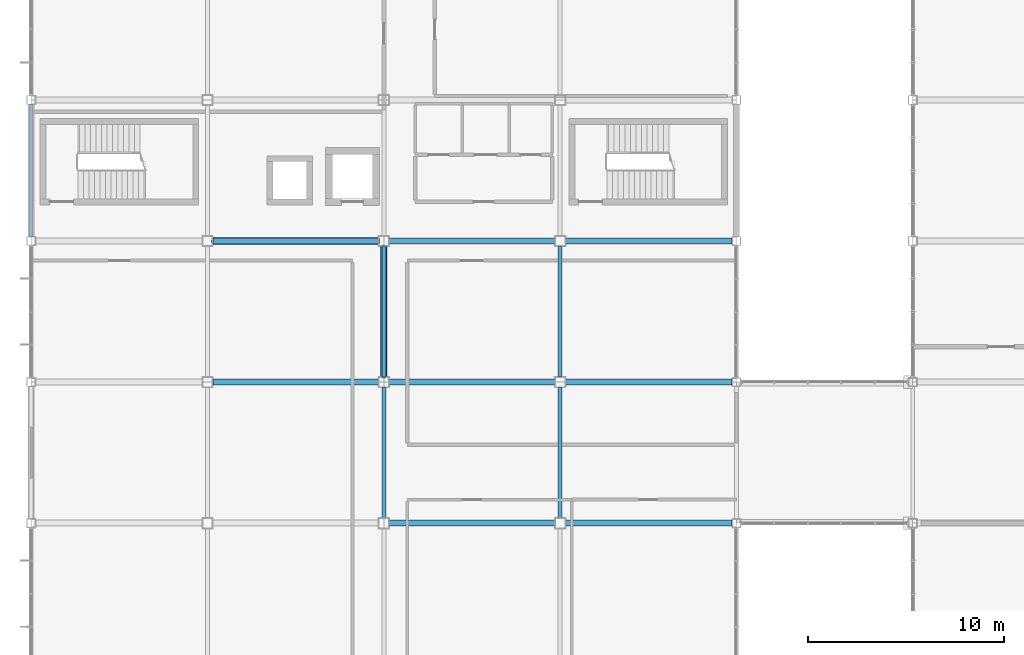
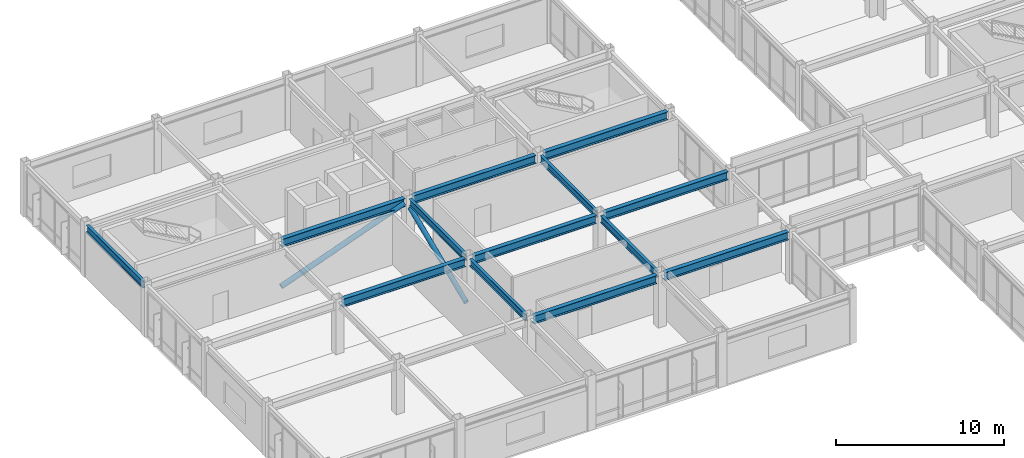
# One storey, part 54 of 122: 13 beams, 2 members.
"""IFC4 building model written with IfcOpenShell, lengths in metres."""

from ifc_helpers import new_model, si_unit, direction, frame, origin, origin_2d, place, context, subcontext, project, spatial, hollow_circle, i_section, extrude, material, material_profile, profile_set, type_object, element, save


model = new_model("IFC4")

# Units and contexts
model_context = context("Model", 3, precision=1e-05, world=origin(), true_north=direction((0.0, 1.0)))
body_context = subcontext(model_context, "Body", "Model", "MODEL_VIEW")
ifc_project = project(units=[si_unit("LENGTHUNIT", "METRE"), si_unit("AREAUNIT", "SQUARE_METRE"), si_unit("VOLUMEUNIT", "CUBIC_METRE"), si_unit("PLANEANGLEUNIT", "RADIAN"), si_unit("MASSUNIT", "GRAM", prefix="KILO")], contexts=[model_context])

# Site, building, storey
site_placement = place(None, origin())
site = spatial("IfcSite", under=ifc_project, at=site_placement, CompositionType="ELEMENT")
building_placement = place(site_placement, origin())
building = spatial("IfcBuilding", under=site, at=building_placement, Name="Kazanami Central Library", CompositionType="ELEMENT")
storey_placement = place(building_placement, frame((0.0, 0.0, 4.800048828125)))
storey = spatial("IfcBuildingStorey", under=building, at=storey_placement, Name="L02", CompositionType="ELEMENT", Elevation=4.800048828125)

# Beams
ifc_material_1 = material(Name="Steel SN490B (325 MPa)", Category="steel")
ifc_material_profile_1 = material_profile(ifc_material_1, i_section(OverallWidth=0.300048828125, OverallDepth=0.587890625, WebThickness=0.011962890625, FlangeThickness=0.02001953125, at=origin_2d()), Name="H-588x300x12x20")
ifc_profile_set_1 = profile_set([ifc_material_profile_1], Name="Steel SN490B (325 MPa)")
beam_type_1 = type_object("IfcBeamType", Name="BM-G-X2", PredefinedType="BEAM", material=ifc_profile_set_1)
beam_1_placement = place(storey_placement, frame((18.27294921875, 64.800048828125, 3.4609375), z_axis=(1.0, 0.0, 0.0), x_axis=(0.0, 1.0, 0.0)))
element("IfcBeam", 1, at=beam_1_placement, inside=storey, type_object=beam_type_1, Name="Girder G-X2 L02 K/3-4", PredefinedType="BEAM", context=body_context, shape_type="SweptSolid", body=[
    extrude(i_section(OverallWidth=0.300048828125, OverallDepth=0.587890625, WebThickness=0.011962890625, FlangeThickness=0.02001953125, at=origin_2d()), origin(), (0.0, 0.0, 1.0), 8.4541015625),
])
beam_2_placement = place(storey_placement, frame((27.27294921875, 64.800048828125, 3.4609375), z_axis=(1.0, 0.0, 0.0), x_axis=(0.0, 1.0, 0.0)))
element("IfcBeam", 2, at=beam_2_placement, inside=storey, type_object=beam_type_1, Name="Girder G-X2 L02 K/4-5", PredefinedType="BEAM", context=body_context, shape_type="SweptSolid", body=[
    extrude(i_section(OverallWidth=0.300048828125, OverallDepth=0.587890625, WebThickness=0.011962890625, FlangeThickness=0.02001953125, at=origin_2d()), origin(), (0.0, 0.0, 1.0), 8.504150390625),
])
for number, where, z_axis, x_axis, name in (
    (3, (9.27294921875, 72.0, 3.4609375), (1.0, 0.0, 0.0), (0.0, 1.0, 0.0), "Girder G-X2 L02 L/2-3"),
    (4, (18.27294921875, 72.0, 3.4609375), (1.0, 0.0, 0.0), (0.0, 1.0, 0.0), "Girder G-X2 L02 L/3-4"),
):
    element("IfcBeam", number, at=place(storey_placement, frame(where, z_axis=z_axis, x_axis=x_axis)), inside=storey, type_object=beam_type_1, Name=name, PredefinedType="BEAM", context=body_context, shape_type="SweptSolid", body=[
        extrude(i_section(OverallWidth=0.300048828125, OverallDepth=0.587890625, WebThickness=0.011962890625, FlangeThickness=0.02001953125, at=origin_2d()), origin(), (0.0, 0.0, 1.0), 8.4541015625),
    ])
beam_3_placement = place(storey_placement, frame((27.27294921875, 72.0, 3.4609375), z_axis=(1.0, 0.0, 0.0), x_axis=(0.0, 1.0, 0.0)))
element("IfcBeam", 5, at=beam_3_placement, inside=storey, type_object=beam_type_1, Name="Girder G-X2 L02 L/4-5", PredefinedType="BEAM", context=body_context, shape_type="SweptSolid", body=[
    extrude(i_section(OverallWidth=0.300048828125, OverallDepth=0.587890625, WebThickness=0.011962890625, FlangeThickness=0.02001953125, at=origin_2d()), origin(), (0.0, 0.0, 1.0), 8.504150390625),
])
for number, where, z_axis, x_axis, name in (
    (6, (9.27294921875, 79.199951171875, 3.4609375), (1.0, 0.0, 0.0), (0.0, 1.0, 0.0), "Girder G-X2 L02 M/2-3"),
    (7, (18.27294921875, 79.199951171875, 3.4609375), (1.0, 0.0, 0.0), (0.0, 1.0, 0.0), "Girder G-X2 L02 M/3-4"),
):
    element("IfcBeam", number, at=place(storey_placement, frame(where, z_axis=z_axis, x_axis=x_axis)), inside=storey, type_object=beam_type_1, Name=name, PredefinedType="BEAM", context=body_context, shape_type="SweptSolid", body=[
        extrude(i_section(OverallWidth=0.300048828125, OverallDepth=0.587890625, WebThickness=0.011962890625, FlangeThickness=0.02001953125, at=origin_2d()), origin(), (0.0, 0.0, 1.0), 8.4541015625),
    ])
beam_4_placement = place(storey_placement, frame((27.27294921875, 79.199951171875, 3.4609375), z_axis=(1.0, 0.0, 0.0), x_axis=(0.0, 1.0, 0.0)))
element("IfcBeam", 8, at=beam_4_placement, inside=storey, type_object=beam_type_1, Name="Girder G-X2 L02 M/4-5", PredefinedType="BEAM", context=body_context, shape_type="SweptSolid", body=[
    extrude(i_section(OverallWidth=0.300048828125, OverallDepth=0.587890625, WebThickness=0.011962890625, FlangeThickness=0.02001953125, at=origin_2d()), origin(), (0.0, 0.0, 1.0), 8.504150390625),
])
ifc_material_profile_2 = material_profile(ifc_material_1, i_section(OverallWidth=0.199951171875, OverallDepth=0.5, WebThickness=0.010009765625, FlangeThickness=0.01611328125, at=origin_2d()), Name="H-500x200x10x16")
ifc_profile_set_2 = profile_set([ifc_material_profile_2], Name="Steel SN490B (325 MPa)")
beam_type_2 = type_object("IfcBeamType", Name="BM-G-Y2", PredefinedType="BEAM", material=ifc_profile_set_2)
for number, where, z_axis, x_axis, name in (
    (9, (18.0, 65.072998046875, 3.5048828125), (0.0, 1.0, 0.0), (-1.0, 0.0, 0.0), "Girder G-Y2 L02 3/K-L"),
    (10, (18.0, 72.27294921875, 3.5048828125), (0.0, 1.0, 0.0), (-1.0, 0.0, 0.0), "Girder G-Y2 L02 3/L-M"),
    (11, (27.0, 65.072998046875, 3.5048828125), (0.0, 1.0, 0.0), (-1.0, 0.0, 0.0), "Girder G-Y2 L02 4/K-L"),
    (12, (27.0, 72.27294921875, 3.5048828125), (0.0, 1.0, 0.0), (-1.0, 0.0, 0.0), "Girder G-Y2 L02 4/L-M"),
):
    element("IfcBeam", number, at=place(storey_placement, frame(where, z_axis=z_axis, x_axis=x_axis)), inside=storey, type_object=beam_type_2, Name=name, PredefinedType="BEAM", context=body_context, shape_type="SweptSolid", body=[
        extrude(i_section(OverallWidth=0.199951171875, OverallDepth=0.5, WebThickness=0.010009765625, FlangeThickness=0.01611328125, at=origin_2d()), origin(), (0.0, 0.0, 1.0), 6.654052734375),
    ])
ifc_material_profile_3 = material_profile(ifc_material_1, i_section(OverallWidth=0.199951171875, OverallDepth=0.5, WebThickness=0.010009765625, FlangeThickness=0.01611328125, at=origin_2d()), Name="H-500x200x10x16")
ifc_profile_set_3 = profile_set([ifc_material_profile_3], Name="Steel SN490B (325 MPa)")
beam_type_3 = type_object("IfcBeamType", Name="BM-SP-1", PredefinedType="SPANDREL", material=ifc_profile_set_3)
beam_5_placement = place(storey_placement, frame((0.0, 79.423095703125, 3.5048828125), z_axis=(0.0, 1.0, 0.0), x_axis=(-1.0, 0.0, 0.0)))
element("IfcBeam", 13, at=beam_5_placement, inside=storey, type_object=beam_type_3, Name="Girder SP-1 L02 1/M-N", PredefinedType="SPANDREL", context=body_context, shape_type="SweptSolid", body=[
    extrude(i_section(OverallWidth=0.199951171875, OverallDepth=0.5, WebThickness=0.010009765625, FlangeThickness=0.01611328125, at=origin_2d()), origin(), (0.0, 0.0, 1.0), 6.75390625),
])

# Members
ifc_material_2 = material(Name="Steel STK490 (315 MPa)", Category="steel")
ifc_material_profile_4 = material_profile(ifc_material_2, hollow_circle(Radius=0.177734375, WallThickness=0.0126953125, at=origin_2d()), Name="CHS-355.6x12.7")
ifc_profile_set_4 = profile_set([ifc_material_profile_4], Name="Steel STK490 (315 MPa)")
member_type_1 = type_object("IfcMemberType", Name="MEM-BR-01", PredefinedType="BRACE", material=ifc_profile_set_4)
member_1_placement = place(storey_placement, frame((9.27490234375, 79.199951171875, 0.25), z_axis=(0.938640019759, 0.0, 0.344898410126), x_axis=(0.0, 1.0, 0.0)))
element("IfcMember", 14, at=member_1_placement, inside=storey, type_object=member_type_1, Name="Concentric Steel Brace BR-01 L02 BF-V4A", PredefinedType="BRACE", context=body_context, shape_type="SweptSolid", body=[
    extrude(hollow_circle(Radius=0.177734375, WallThickness=0.0126953125, at=origin_2d()), origin(), (0.0, 0.0, 1.0), 9.002685546875),
])
ifc_material_profile_5 = material_profile(ifc_material_2, hollow_circle(Radius=0.1591796875, WallThickness=0.01025390625, at=origin_2d()), Name="CHS-318.5x10.3")
ifc_profile_set_5 = profile_set([ifc_material_profile_5], Name="Steel STK490 (315 MPa)")
member_type_2 = type_object("IfcMemberType", Name="MEM-BR-02", PredefinedType="BRACE", material=ifc_profile_set_5)
member_2_placement = place(storey_placement, frame((18.0, 72.27490234375, 0.25), z_axis=(0.0, 0.920398716646, 0.390981076776), x_axis=(-1.0, 0.0, 0.0)))
element("IfcMember", 15, at=member_2_placement, inside=storey, type_object=member_type_2, Name="Concentric Steel Brace BR-02 L02 BF-V4B", PredefinedType="BRACE", context=body_context, shape_type="SweptSolid", body=[
    extrude(hollow_circle(Radius=0.1591796875, WallThickness=0.01025390625, at=origin_2d()), origin(), (0.0, 0.0, 1.0), 7.225341796875),
])

save(model, "model.ifc")
